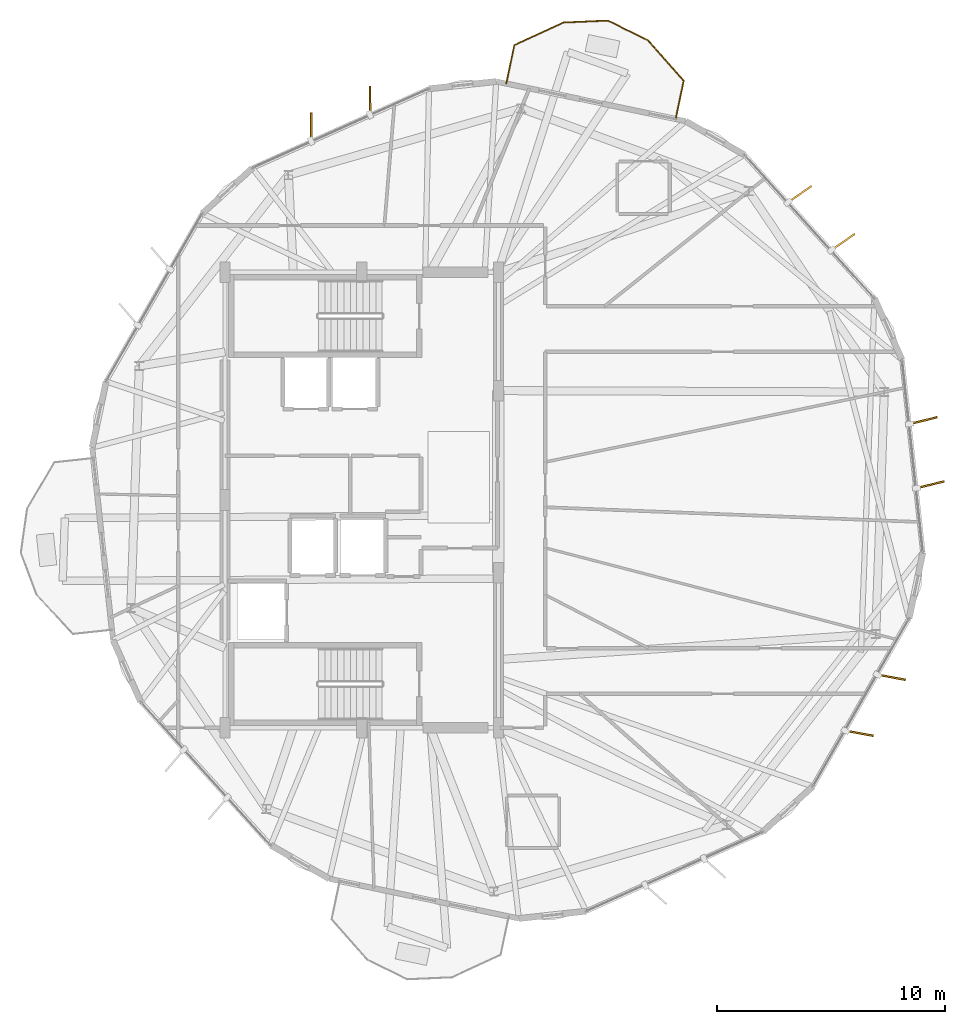
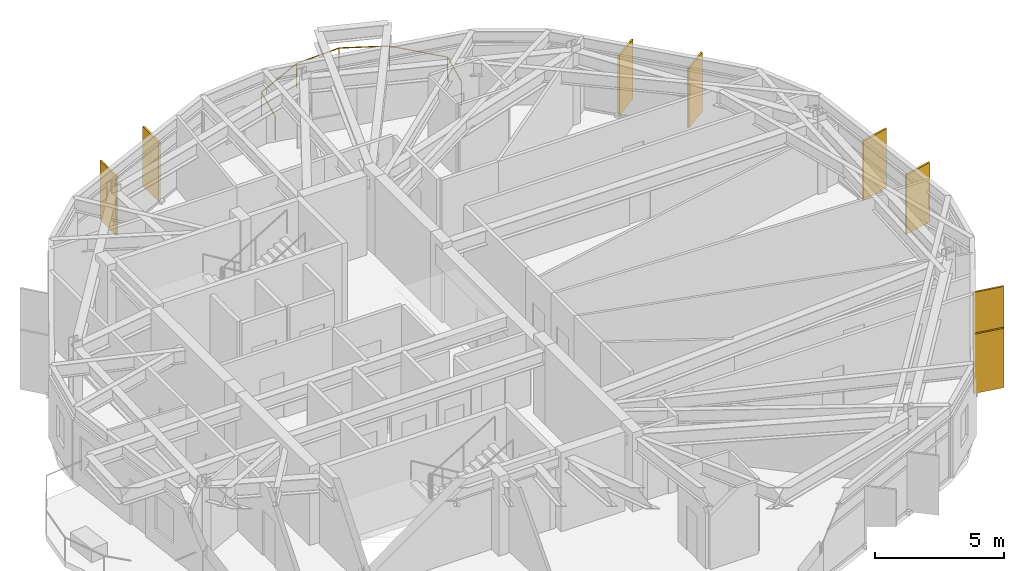
# One storey, part 23 of 23: 8 shading devices, 1 railing.
"""IFC4 building model written with IfcOpenShell, lengths in metres."""

from ifc_helpers import new_model, si_unit, direction, frame, origin, origin_2d, place, context, subcontext, project, spatial, rectangle, circle, extrude, material, layer, layer_set, type_object, element, save


model = new_model("IFC4")

# Units and contexts
model_context = context("Model", 3, precision=1e-05, world=origin(), true_north=direction((0.0, 1.0)))
body_context = subcontext(model_context, "Body", "Model", "MODEL_VIEW")
ifc_project = project(units=[si_unit("LENGTHUNIT", "METRE"), si_unit("AREAUNIT", "SQUARE_METRE"), si_unit("VOLUMEUNIT", "CUBIC_METRE"), si_unit("PLANEANGLEUNIT", "RADIAN"), si_unit("MASSUNIT", "GRAM", prefix="KILO")], contexts=[model_context])

# Site, building, storey
site_placement = place(None, origin())
site = spatial("IfcSite", under=ifc_project, at=site_placement, CompositionType="ELEMENT")
building_placement = place(site_placement, origin())
building = spatial("IfcBuilding", under=site, at=building_placement, Name="Soratama Intermodal Tower", CompositionType="ELEMENT")
storey_placement = place(building_placement, frame((0.0, 0.0, 253.75)))
storey = spatial("IfcBuildingStorey", under=building, at=storey_placement, Name="L64", CompositionType="ELEMENT", Elevation=253.75)

# Railing
ifc_material_1 = material(Name="Laminated glass and stainless steel balustrade", Category="steel")
railing_type = type_object("IfcRailingType", Name="RL-BAL-1150", PredefinedType="BALUSTRADE", material=ifc_material_1)
railing_placement = place(storey_placement, frame((44.943115234375, 43.279052734375, 0.0)))
element("IfcRailing", 1, at=railing_placement, inside=storey, type_object=railing_type, Name="L64 Balcony Balustrade 1", PredefinedType="BALUSTRADE", context=body_context, shape_type="SweptSolid", body=[
    extrude(circle(Radius=0.02392578125, at=origin_2d()), frame((0.0, 0.0, 1.1259765625), z_axis=(0.204815718833, 0.97880055237, 0.0), x_axis=(-0.97880055237, 0.204815718833, 0.0)), (0.0, 0.0, 1.0), 1.719970703125),
    extrude(circle(Radius=0.02392578125, at=origin_2d()), frame((0.352294921875, 1.68359375, 1.1259765625), z_axis=(0.907364294675, 0.420345140032, 0.0), x_axis=(-0.420345140032, 0.907364294675, 0.0)), (0.0, 0.0, 1.0), 2.369140625),
    extrude(circle(Radius=0.02392578125, at=origin_2d()), frame((2.501953125, 2.679443359375, 1.1259765625), z_axis=(0.999050040552, 0.043577706156, 0.0), x_axis=(-0.043577706156, 0.999050040552, 0.0)), (0.0, 0.0, 1.0), 1.9609375),
    extrude(circle(Radius=0.02392578125, at=origin_2d()), frame((4.4609375, 2.764892578125, 1.1259765625), z_axis=(0.897788481154, -0.440426887357, 0.0), x_axis=(0.440426887357, 0.897788481154, 0.0)), (0.0, 0.0, 1.0), 1.960693359375),
    extrude(circle(Radius=0.02392578125, at=origin_2d()), frame((6.22119140625, 1.9013671875, 1.1259765625), z_axis=(0.662609457114, -0.748965090871, 0.0), x_axis=(0.748965090871, 0.662609457114, 0.0)), (0.0, 0.0, 1.0), 2.369140625),
    extrude(circle(Radius=0.02392578125, at=origin_2d()), frame((7.791015625, 0.126953125, 1.1259765625), z_axis=(-0.204815718833, -0.97880055237, 0.0), x_axis=(0.97880055237, -0.204815718833, 0.0)), (0.0, 0.0, 1.0), 1.719970703125),
    extrude(circle(Radius=0.02099609375, at=origin_2d()), origin(), (0.0, 0.0, 1.0), 1.101806640625),
    extrude(circle(Radius=0.02099609375, at=origin_2d()), frame((0.352294921875, 1.68359375, 0.0)), (0.0, 0.0, 1.0), 1.101806640625),
    extrude(circle(Radius=0.02099609375, at=origin_2d()), frame((2.501953125, 2.679443359375, 0.0)), (0.0, 0.0, 1.0), 1.101806640625),
    extrude(circle(Radius=0.02099609375, at=origin_2d()), frame((4.4609375, 2.764892578125, 0.0)), (0.0, 0.0, 1.0), 1.101806640625),
    extrude(circle(Radius=0.02099609375, at=origin_2d()), frame((6.22119140625, 1.9013671875, 0.0)), (0.0, 0.0, 1.0), 1.101806640625),
    extrude(circle(Radius=0.02099609375, at=origin_2d()), frame((7.791015625, 0.126953125, 0.0)), (0.0, 0.0, 1.0), 1.101806640625),
    extrude(circle(Radius=0.02099609375, at=origin_2d()), frame((7.438720703125, -1.556640625, 0.0)), (0.0, 0.0, 1.0), 1.101806640625),
])

# Shading devices
ifc_material_2 = material(Name="Champagne anodised aluminium solar fin", Category="aluminium")
ifc_layer = layer(ifc_material_2, 0.080078125)
ifc_layer_set = layer_set([ifc_layer], Name="Champagne anodised aluminium solar fin")
shading_device_type = type_object("IfcShadingDeviceType", Name="SH-FIN-1250", PredefinedType="USERDEFINED", material=ifc_layer_set)
for number, where, z_axis, x_axis, name in (
    (2, (38.966796875, 42.536376953125, 0.02001953125), (0.0, 0.0, 1.0), (-0.003141587486, 0.999995065202, 0.0), "L64 Solar Fin F02-1"),
    (3, (36.382080078125, 41.3759765625, 0.02001953125), (0.0, 0.0, 1.0), (-0.003141587486, 0.999995065202, 0.0), "L64 Solar Fin F02-2"),
    (4, (60.4423828125, 14.76318359375, 0.02001953125), (0.0, 0.0, 1.0), (0.983571470813, -0.180519145251, 0.0), "L64 Solar Fin F08-1"),
    (5, (61.851318359375, 17.221435546875, 0.02001953125), (0.0, 0.0, 1.0), (0.983571470813, -0.180519145251, 0.0), "L64 Solar Fin F08-2"),
    (6, (63.555419921875, 25.668212890625, 0.02001953125), (0.0, 0.0, 1.0), (0.971961000579, 0.235142113103, 0.0), "L64 Solar Fin F09-1"),
    (7, (63.250244140625, 28.48486328125, 0.02001953125), (0.0, 0.0, 1.0), (0.971961000579, 0.235142113103, 0.0), "L64 Solar Fin F09-2"),
    (8, (59.730712890625, 36.323486328125, 0.02001953125), (0.0, 0.0, 1.0), (0.821547442226, 0.570140158358, 0.0), "L64 Solar Fin F10-1"),
    (9, (57.828369140625, 38.423095703125, 0.02001953125), (0.0, 0.0, 1.0), (0.821547442226, 0.570140158358, 0.0), "L64 Solar Fin F10-2"),
):
    element("IfcShadingDevice", number, at=place(storey_placement, frame(where, z_axis=z_axis, x_axis=x_axis)), inside=storey, type_object=shading_device_type, Name=name, ObjectType="FIN", PredefinedType="USERDEFINED", context=body_context, shape_type="SweptSolid", body=[
        extrude(rectangle(XDim=1.25, YDim=0.080078125, at=origin_2d()), origin(), (0.0, 0.0, 1.0), 2.80908203125),
    ])

save(model, "model.ifc")
